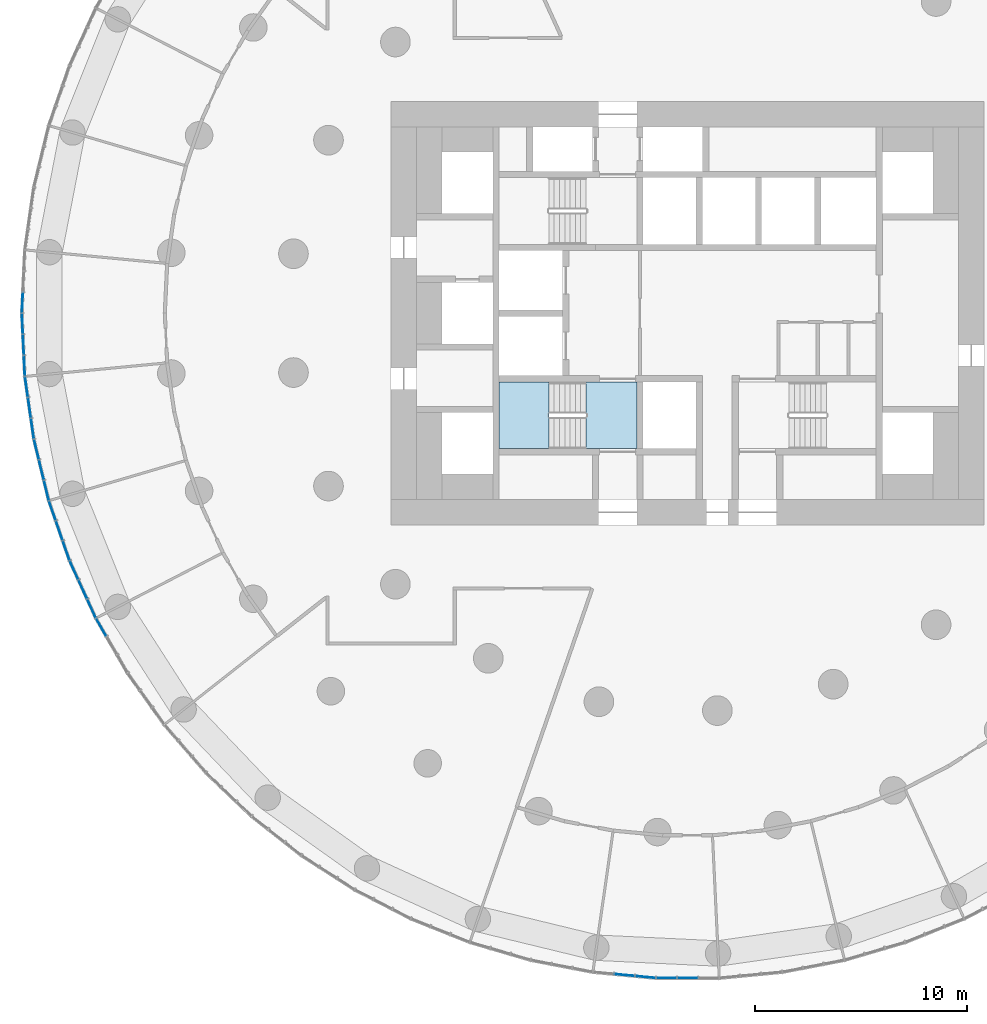
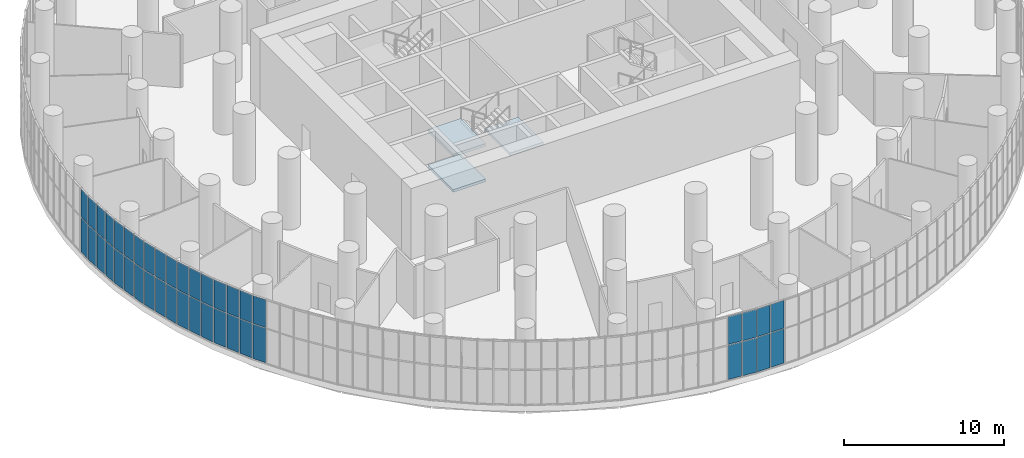
# One storey, part 13 of 27: 42 plates, 3 slabs, 10 elements without a shape of their own.
"""IFC4 building model written with IfcOpenShell, lengths in metres."""

from ifc_helpers import new_model, si_unit, direction, frame, origin, origin_2d, place, context, subcontext, project, spatial, polyline, rectangle, outline, extrude, material, layer, layer_set, type_object, element, aggregate, save


model = new_model("IFC4")

# Units and contexts
model_context = context("Model", 3, precision=1e-05, world=origin(), true_north=direction((0.0, 1.0)))
body_context = subcontext(model_context, "Body", "Model", "MODEL_VIEW")
ifc_project = project(units=[si_unit("LENGTHUNIT", "METRE"), si_unit("AREAUNIT", "SQUARE_METRE"), si_unit("VOLUMEUNIT", "CUBIC_METRE"), si_unit("PLANEANGLEUNIT", "RADIAN"), si_unit("MASSUNIT", "GRAM", prefix="KILO")], contexts=[model_context])

# Site, building, storey
site_placement = place(None, origin())
site = spatial("IfcSite", under=ifc_project, at=site_placement, CompositionType="ELEMENT")
building_placement = place(site_placement, origin())
building = spatial("IfcBuilding", under=site, at=building_placement, Name="Tracery Tower", CompositionType="ELEMENT")
storey_placement = place(building_placement, frame((0.0, 0.0, 114.60009765625)))
storey = spatial("IfcBuildingStorey", under=building, at=storey_placement, Name="L29", CompositionType="ELEMENT", Elevation=114.60009765625)

# Curtain wall, plates
ifc_material_1 = material(Name="Aluminium curtain wall with tinted glass", Category="aluminium")
ifc_layer_1 = layer(ifc_material_1, 0.179931640625)
ifc_layer_set_1 = layer_set([ifc_layer_1], Name="Sky lounge 1 tracery curtain wall")
curtain_wall_type = type_object("IfcCurtainWallType", Name="Sky lounge 1 tracery curtain wall", PredefinedType="NOTDEFINED", material=ifc_layer_set_1)
curtain_wall_1_placement = place(storey_placement, origin())
curtain_wall_1 = element("IfcCurtainWall", 1, at=curtain_wall_1_placement, inside=storey, type_object=curtain_wall_type, Name="Sky lounge 1 curtain wall run 33", PredefinedType="NOTDEFINED")
ifc_material_2 = material(Name="Tinted laminated glass", Category="glass")
ifc_layer_2 = layer(ifc_material_2, 0.031982421875)
ifc_layer_set_2 = layer_set([ifc_layer_2], Name="Sky lounge 1 glass panel 32")
plate_type = type_object("IfcPlateType", Name="Sky lounge 1 glass panel 32", PredefinedType="CURTAIN_PANEL", material=ifc_layer_set_2)
plate_1_placement = place(storey_placement, frame((-31.410888671875, 0.498046875, 0.06005859375), z_axis=(0.0, 0.0, 1.0), x_axis=(-0.047581915819, -0.998867339183, 0.0)))
plate_1 = element("IfcPlate", 2, at=plate_1_placement, type_object=plate_type, Name="Sky lounge 1 curtain wall run 33 glass panel 5", PredefinedType="CURTAIN_PANEL", context=body_context, shape_type="SweptSolid", body=[
    extrude(rectangle(XDim=0.937255859375, YDim=0.031982421875, at=origin_2d()), origin(), (0.0, 0.0, 1.0), 2.610107421875),
])
plate_2_placement = place(storey_placement, frame((-31.410888671875, 0.498046875, 2.72998046875), z_axis=(0.0, 0.0, 1.0), x_axis=(-0.047581915819, -0.998867339183, 0.0)))
plate_2 = element("IfcPlate", 3, at=plate_2_placement, type_object=plate_type, Name="Sky lounge 1 curtain wall run 33 glass panel 6", PredefinedType="CURTAIN_PANEL", context=body_context, shape_type="SweptSolid", body=[
    extrude(rectangle(XDim=0.937255859375, YDim=0.031982421875, at=origin_2d()), origin(), (0.0, 0.0, 1.0), 2.110107421875),
])
aggregate(curtain_wall_1, [plate_1, plate_2])

curtain_wall_2_placement = place(storey_placement, origin())
curtain_wall_2 = element("IfcCurtainWall", 4, at=curtain_wall_2_placement, inside=storey, type_object=curtain_wall_type, Name="Sky lounge 1 curtain wall run 34", PredefinedType="NOTDEFINED")
plate_3_placement = place(storey_placement, frame((-31.410888671875, -0.498046875, 0.06005859375), z_axis=(0.0, 0.0, 1.0), x_axis=(0.047581915819, -0.998867339183, 0.0)))
plate_3 = element("IfcPlate", 5, at=plate_3_placement, type_object=plate_type, Name="Sky lounge 1 curtain wall run 34 glass panel 1", PredefinedType="CURTAIN_PANEL", context=body_context, shape_type="SweptSolid", body=[
    extrude(rectangle(XDim=0.937255859375, YDim=0.031982421875, at=origin_2d()), origin(), (0.0, 0.0, 1.0), 2.610107421875),
])
plate_4_placement = place(storey_placement, frame((-31.410888671875, -0.498046875, 2.72998046875), z_axis=(0.0, 0.0, 1.0), x_axis=(0.047581915819, -0.998867339183, 0.0)))
plate_4 = element("IfcPlate", 6, at=plate_4_placement, type_object=plate_type, Name="Sky lounge 1 curtain wall run 34 glass panel 2", PredefinedType="CURTAIN_PANEL", context=body_context, shape_type="SweptSolid", body=[
    extrude(rectangle(XDim=0.937255859375, YDim=0.031982421875, at=origin_2d()), origin(), (0.0, 0.0, 1.0), 2.110107421875),
])
plate_5_placement = place(storey_placement, frame((-31.36328125, -1.494140625, 0.06005859375), z_axis=(0.0, 0.0, 1.0), x_axis=(0.047581915819, -0.998867339183, 0.0)))
plate_5 = element("IfcPlate", 7, at=plate_5_placement, type_object=plate_type, Name="Sky lounge 1 curtain wall run 34 glass panel 3", PredefinedType="CURTAIN_PANEL", context=body_context, shape_type="SweptSolid", body=[
    extrude(rectangle(XDim=0.937255859375, YDim=0.031982421875, at=origin_2d()), origin(), (0.0, 0.0, 1.0), 2.610107421875),
])
plate_6_placement = place(storey_placement, frame((-31.36328125, -1.494140625, 2.72998046875), z_axis=(0.0, 0.0, 1.0), x_axis=(0.047581915819, -0.998867339183, 0.0)))
plate_6 = element("IfcPlate", 8, at=plate_6_placement, type_object=plate_type, Name="Sky lounge 1 curtain wall run 34 glass panel 4", PredefinedType="CURTAIN_PANEL", context=body_context, shape_type="SweptSolid", body=[
    extrude(rectangle(XDim=0.937255859375, YDim=0.031982421875, at=origin_2d()), origin(), (0.0, 0.0, 1.0), 2.110107421875),
])
plate_7_placement = place(storey_placement, frame((-31.31591796875, -2.489990234375, 0.06005859375), z_axis=(0.0, 0.0, 1.0), x_axis=(0.047581915819, -0.998867339183, 0.0)))
plate_7 = element("IfcPlate", 9, at=plate_7_placement, type_object=plate_type, Name="Sky lounge 1 curtain wall run 34 glass panel 5", PredefinedType="CURTAIN_PANEL", context=body_context, shape_type="SweptSolid", body=[
    extrude(rectangle(XDim=0.937255859375, YDim=0.031982421875, at=origin_2d()), origin(), (0.0, 0.0, 1.0), 2.610107421875),
])
plate_8_placement = place(storey_placement, frame((-31.31591796875, -2.489990234375, 2.72998046875), z_axis=(0.0, 0.0, 1.0), x_axis=(0.047581915819, -0.998867339183, 0.0)))
plate_8 = element("IfcPlate", 10, at=plate_8_placement, type_object=plate_type, Name="Sky lounge 1 curtain wall run 34 glass panel 6", PredefinedType="CURTAIN_PANEL", context=body_context, shape_type="SweptSolid", body=[
    extrude(rectangle(XDim=0.937255859375, YDim=0.031982421875, at=origin_2d()), origin(), (0.0, 0.0, 1.0), 2.110107421875),
])
aggregate(curtain_wall_2, [plate_3, plate_4, plate_5, plate_6, plate_7, plate_8])

curtain_wall_3_placement = place(storey_placement, origin())
curtain_wall_3 = element("IfcCurtainWall", 11, at=curtain_wall_3_placement, inside=storey, type_object=curtain_wall_type, Name="Sky lounge 1 curtain wall run 35", PredefinedType="NOTDEFINED")
plate_9_placement = place(storey_placement, frame((-31.22119140625, -3.4814453125, 0.06005859375), z_axis=(0.0, 0.0, 1.0), x_axis=(0.142314838276, -0.98982144188, 0.0)))
plate_9 = element("IfcPlate", 12, at=plate_9_placement, type_object=plate_type, Name="Sky lounge 1 curtain wall run 35 glass panel 1", PredefinedType="CURTAIN_PANEL", context=body_context, shape_type="SweptSolid", body=[
    extrude(rectangle(XDim=0.937255859375, YDim=0.031982421875, at=origin_2d()), origin(), (0.0, 0.0, 1.0), 2.610107421875),
])
plate_10_placement = place(storey_placement, frame((-31.22119140625, -3.4814453125, 2.72998046875), z_axis=(0.0, 0.0, 1.0), x_axis=(0.142314838276, -0.98982144188, 0.0)))
plate_10 = element("IfcPlate", 13, at=plate_10_placement, type_object=plate_type, Name="Sky lounge 1 curtain wall run 35 glass panel 2", PredefinedType="CURTAIN_PANEL", context=body_context, shape_type="SweptSolid", body=[
    extrude(rectangle(XDim=0.937255859375, YDim=0.031982421875, at=origin_2d()), origin(), (0.0, 0.0, 1.0), 2.110107421875),
])
plate_11_placement = place(storey_placement, frame((-31.079345703125, -4.468505859375, 0.06005859375), z_axis=(0.0, 0.0, 1.0), x_axis=(0.142314838276, -0.98982144188, 0.0)))
plate_11 = element("IfcPlate", 14, at=plate_11_placement, type_object=plate_type, Name="Sky lounge 1 curtain wall run 35 glass panel 3", PredefinedType="CURTAIN_PANEL", context=body_context, shape_type="SweptSolid", body=[
    extrude(rectangle(XDim=0.937255859375, YDim=0.031982421875, at=origin_2d()), origin(), (0.0, 0.0, 1.0), 2.610107421875),
])
plate_12_placement = place(storey_placement, frame((-31.079345703125, -4.468505859375, 2.72998046875), z_axis=(0.0, 0.0, 1.0), x_axis=(0.142314838276, -0.98982144188, 0.0)))
plate_12 = element("IfcPlate", 15, at=plate_12_placement, type_object=plate_type, Name="Sky lounge 1 curtain wall run 35 glass panel 4", PredefinedType="CURTAIN_PANEL", context=body_context, shape_type="SweptSolid", body=[
    extrude(rectangle(XDim=0.937255859375, YDim=0.031982421875, at=origin_2d()), origin(), (0.0, 0.0, 1.0), 2.110107421875),
])
plate_13_placement = place(storey_placement, frame((-30.9375, -5.45556640625, 0.06005859375), z_axis=(0.0, 0.0, 1.0), x_axis=(0.142314838276, -0.98982144188, 0.0)))
plate_13 = element("IfcPlate", 16, at=plate_13_placement, type_object=plate_type, Name="Sky lounge 1 curtain wall run 35 glass panel 5", PredefinedType="CURTAIN_PANEL", context=body_context, shape_type="SweptSolid", body=[
    extrude(rectangle(XDim=0.937255859375, YDim=0.031982421875, at=origin_2d()), origin(), (0.0, 0.0, 1.0), 2.610107421875),
])
plate_14_placement = place(storey_placement, frame((-30.9375, -5.45556640625, 2.72998046875), z_axis=(0.0, 0.0, 1.0), x_axis=(0.142314838276, -0.98982144188, 0.0)))
plate_14 = element("IfcPlate", 17, at=plate_14_placement, type_object=plate_type, Name="Sky lounge 1 curtain wall run 35 glass panel 6", PredefinedType="CURTAIN_PANEL", context=body_context, shape_type="SweptSolid", body=[
    extrude(rectangle(XDim=0.937255859375, YDim=0.031982421875, at=origin_2d()), origin(), (0.0, 0.0, 1.0), 2.110107421875),
])
aggregate(curtain_wall_3, [plate_9, plate_10, plate_11, plate_12, plate_13, plate_14])

curtain_wall_4_placement = place(storey_placement, origin())
curtain_wall_4 = element("IfcCurtainWall", 18, at=curtain_wall_4_placement, inside=storey, type_object=curtain_wall_type, Name="Sky lounge 1 curtain wall run 36", PredefinedType="NOTDEFINED")
plate_15_placement = place(storey_placement, frame((-30.748779296875, -6.43359375, 0.06005859375), z_axis=(0.0, 0.0, 1.0), x_axis=(0.235758935503, -0.971811568325, 0.0)))
plate_15 = element("IfcPlate", 19, at=plate_15_placement, type_object=plate_type, Name="Sky lounge 1 curtain wall run 36 glass panel 1", PredefinedType="CURTAIN_PANEL", context=body_context, shape_type="SweptSolid", body=[
    extrude(rectangle(XDim=0.937255859375, YDim=0.031982421875, at=origin_2d()), origin(), (0.0, 0.0, 1.0), 2.610107421875),
])
plate_16_placement = place(storey_placement, frame((-30.748779296875, -6.43359375, 2.72998046875), z_axis=(0.0, 0.0, 1.0), x_axis=(0.235758935503, -0.971811568325, 0.0)))
plate_16 = element("IfcPlate", 20, at=plate_16_placement, type_object=plate_type, Name="Sky lounge 1 curtain wall run 36 glass panel 2", PredefinedType="CURTAIN_PANEL", context=body_context, shape_type="SweptSolid", body=[
    extrude(rectangle(XDim=0.937255859375, YDim=0.031982421875, at=origin_2d()), origin(), (0.0, 0.0, 1.0), 2.110107421875),
])
plate_17_placement = place(storey_placement, frame((-30.513916015625, -7.402587890625, 0.06005859375), z_axis=(0.0, 0.0, 1.0), x_axis=(0.235758935503, -0.971811568325, 0.0)))
plate_17 = element("IfcPlate", 21, at=plate_17_placement, type_object=plate_type, Name="Sky lounge 1 curtain wall run 36 glass panel 3", PredefinedType="CURTAIN_PANEL", context=body_context, shape_type="SweptSolid", body=[
    extrude(rectangle(XDim=0.937255859375, YDim=0.031982421875, at=origin_2d()), origin(), (0.0, 0.0, 1.0), 2.610107421875),
])
plate_18_placement = place(storey_placement, frame((-30.513916015625, -7.402587890625, 2.72998046875), z_axis=(0.0, 0.0, 1.0), x_axis=(0.235758935503, -0.971811568325, 0.0)))
plate_18 = element("IfcPlate", 22, at=plate_18_placement, type_object=plate_type, Name="Sky lounge 1 curtain wall run 36 glass panel 4", PredefinedType="CURTAIN_PANEL", context=body_context, shape_type="SweptSolid", body=[
    extrude(rectangle(XDim=0.937255859375, YDim=0.031982421875, at=origin_2d()), origin(), (0.0, 0.0, 1.0), 2.110107421875),
])
plate_19_placement = place(storey_placement, frame((-30.27880859375, -8.37158203125, 0.06005859375), z_axis=(0.0, 0.0, 1.0), x_axis=(0.235758935503, -0.971811568325, 0.0)))
plate_19 = element("IfcPlate", 23, at=plate_19_placement, type_object=plate_type, Name="Sky lounge 1 curtain wall run 36 glass panel 5", PredefinedType="CURTAIN_PANEL", context=body_context, shape_type="SweptSolid", body=[
    extrude(rectangle(XDim=0.937255859375, YDim=0.031982421875, at=origin_2d()), origin(), (0.0, 0.0, 1.0), 2.610107421875),
])
plate_20_placement = place(storey_placement, frame((-30.27880859375, -8.37158203125, 2.72998046875), z_axis=(0.0, 0.0, 1.0), x_axis=(0.235758935503, -0.971811568325, 0.0)))
plate_20 = element("IfcPlate", 24, at=plate_20_placement, type_object=plate_type, Name="Sky lounge 1 curtain wall run 36 glass panel 6", PredefinedType="CURTAIN_PANEL", context=body_context, shape_type="SweptSolid", body=[
    extrude(rectangle(XDim=0.937255859375, YDim=0.031982421875, at=origin_2d()), origin(), (0.0, 0.0, 1.0), 2.110107421875),
])
aggregate(curtain_wall_4, [plate_15, plate_16, plate_17, plate_18, plate_19, plate_20])

curtain_wall_5_placement = place(storey_placement, origin())
curtain_wall_5 = element("IfcCurtainWall", 25, at=curtain_wall_5_placement, inside=storey, type_object=curtain_wall_type, Name="Sky lounge 1 curtain wall run 37", PredefinedType="NOTDEFINED")
plate_21_placement = place(storey_placement, frame((-29.998046875, -9.327392578125, 0.06005859375), z_axis=(0.0, 0.0, 1.0), x_axis=(0.327067963319, -0.945000818714, 0.0)))
plate_21 = element("IfcPlate", 26, at=plate_21_placement, type_object=plate_type, Name="Sky lounge 1 curtain wall run 37 glass panel 1", PredefinedType="CURTAIN_PANEL", context=body_context, shape_type="SweptSolid", body=[
    extrude(rectangle(XDim=0.937255859375, YDim=0.031982421875, at=origin_2d()), origin(), (0.0, 0.0, 1.0), 2.610107421875),
])
plate_22_placement = place(storey_placement, frame((-29.998046875, -9.327392578125, 2.72998046875), z_axis=(0.0, 0.0, 1.0), x_axis=(0.327067963319, -0.945000818714, 0.0)))
plate_22 = element("IfcPlate", 27, at=plate_22_placement, type_object=plate_type, Name="Sky lounge 1 curtain wall run 37 glass panel 2", PredefinedType="CURTAIN_PANEL", context=body_context, shape_type="SweptSolid", body=[
    extrude(rectangle(XDim=0.937255859375, YDim=0.031982421875, at=origin_2d()), origin(), (0.0, 0.0, 1.0), 2.110107421875),
])
plate_23_placement = place(storey_placement, frame((-29.671875, -10.26953125, 0.06005859375), z_axis=(0.0, 0.0, 1.0), x_axis=(0.327067963319, -0.945000818714, 0.0)))
plate_23 = element("IfcPlate", 28, at=plate_23_placement, type_object=plate_type, Name="Sky lounge 1 curtain wall run 37 glass panel 3", PredefinedType="CURTAIN_PANEL", context=body_context, shape_type="SweptSolid", body=[
    extrude(rectangle(XDim=0.937255859375, YDim=0.031982421875, at=origin_2d()), origin(), (0.0, 0.0, 1.0), 2.610107421875),
])
plate_24_placement = place(storey_placement, frame((-29.671875, -10.26953125, 2.72998046875), z_axis=(0.0, 0.0, 1.0), x_axis=(0.327067963319, -0.945000818714, 0.0)))
plate_24 = element("IfcPlate", 29, at=plate_24_placement, type_object=plate_type, Name="Sky lounge 1 curtain wall run 37 glass panel 4", PredefinedType="CURTAIN_PANEL", context=body_context, shape_type="SweptSolid", body=[
    extrude(rectangle(XDim=0.937255859375, YDim=0.031982421875, at=origin_2d()), origin(), (0.0, 0.0, 1.0), 2.110107421875),
])
plate_25_placement = place(storey_placement, frame((-29.345947265625, -11.2119140625, 0.06005859375), z_axis=(0.0, 0.0, 1.0), x_axis=(0.327067963319, -0.945000818714, 0.0)))
plate_25 = element("IfcPlate", 30, at=plate_25_placement, type_object=plate_type, Name="Sky lounge 1 curtain wall run 37 glass panel 5", PredefinedType="CURTAIN_PANEL", context=body_context, shape_type="SweptSolid", body=[
    extrude(rectangle(XDim=0.937255859375, YDim=0.031982421875, at=origin_2d()), origin(), (0.0, 0.0, 1.0), 2.610107421875),
])
plate_26_placement = place(storey_placement, frame((-29.345947265625, -11.2119140625, 2.72998046875), z_axis=(0.0, 0.0, 1.0), x_axis=(0.327067963319, -0.945000818714, 0.0)))
plate_26 = element("IfcPlate", 31, at=plate_26_placement, type_object=plate_type, Name="Sky lounge 1 curtain wall run 37 glass panel 6", PredefinedType="CURTAIN_PANEL", context=body_context, shape_type="SweptSolid", body=[
    extrude(rectangle(XDim=0.937255859375, YDim=0.031982421875, at=origin_2d()), origin(), (0.0, 0.0, 1.0), 2.110107421875),
])
aggregate(curtain_wall_5, [plate_21, plate_22, plate_23, plate_24, plate_25, plate_26])

curtain_wall_6_placement = place(storey_placement, origin())
curtain_wall_6 = element("IfcCurtainWall", 32, at=curtain_wall_6_placement, inside=storey, type_object=curtain_wall_type, Name="Sky lounge 1 curtain wall run 38", PredefinedType="NOTDEFINED")
plate_27_placement = place(storey_placement, frame((-28.9755859375, -12.136474609375, 0.06005859375), z_axis=(0.0, 0.0, 1.0), x_axis=(0.415415012995, -0.909631995358, 0.0)))
plate_27 = element("IfcPlate", 33, at=plate_27_placement, type_object=plate_type, Name="Sky lounge 1 curtain wall run 38 glass panel 1", PredefinedType="CURTAIN_PANEL", context=body_context, shape_type="SweptSolid", body=[
    extrude(rectangle(XDim=0.937255859375, YDim=0.031982421875, at=origin_2d()), origin(), (0.0, 0.0, 1.0), 2.610107421875),
])
plate_28_placement = place(storey_placement, frame((-28.9755859375, -12.136474609375, 2.72998046875), z_axis=(0.0, 0.0, 1.0), x_axis=(0.415415012995, -0.909631995358, 0.0)))
plate_28 = element("IfcPlate", 34, at=plate_28_placement, type_object=plate_type, Name="Sky lounge 1 curtain wall run 38 glass panel 2", PredefinedType="CURTAIN_PANEL", context=body_context, shape_type="SweptSolid", body=[
    extrude(rectangle(XDim=0.937255859375, YDim=0.031982421875, at=origin_2d()), origin(), (0.0, 0.0, 1.0), 2.110107421875),
])
plate_29_placement = place(storey_placement, frame((-28.5615234375, -13.04345703125, 0.06005859375), z_axis=(0.0, 0.0, 1.0), x_axis=(0.415415012995, -0.909631995358, 0.0)))
plate_29 = element("IfcPlate", 35, at=plate_29_placement, type_object=plate_type, Name="Sky lounge 1 curtain wall run 38 glass panel 3", PredefinedType="CURTAIN_PANEL", context=body_context, shape_type="SweptSolid", body=[
    extrude(rectangle(XDim=0.937255859375, YDim=0.031982421875, at=origin_2d()), origin(), (0.0, 0.0, 1.0), 2.610107421875),
])
plate_30_placement = place(storey_placement, frame((-28.5615234375, -13.04345703125, 2.72998046875), z_axis=(0.0, 0.0, 1.0), x_axis=(0.415415012995, -0.909631995358, 0.0)))
plate_30 = element("IfcPlate", 36, at=plate_30_placement, type_object=plate_type, Name="Sky lounge 1 curtain wall run 38 glass panel 4", PredefinedType="CURTAIN_PANEL", context=body_context, shape_type="SweptSolid", body=[
    extrude(rectangle(XDim=0.937255859375, YDim=0.031982421875, at=origin_2d()), origin(), (0.0, 0.0, 1.0), 2.110107421875),
])
plate_31_placement = place(storey_placement, frame((-28.147216796875, -13.95068359375, 0.06005859375), z_axis=(0.0, 0.0, 1.0), x_axis=(0.415415012995, -0.909631995358, 0.0)))
plate_31 = element("IfcPlate", 37, at=plate_31_placement, type_object=plate_type, Name="Sky lounge 1 curtain wall run 38 glass panel 5", PredefinedType="CURTAIN_PANEL", context=body_context, shape_type="SweptSolid", body=[
    extrude(rectangle(XDim=0.937255859375, YDim=0.031982421875, at=origin_2d()), origin(), (0.0, 0.0, 1.0), 2.610107421875),
])
plate_32_placement = place(storey_placement, frame((-28.147216796875, -13.95068359375, 2.72998046875), z_axis=(0.0, 0.0, 1.0), x_axis=(0.415415012995, -0.909631995358, 0.0)))
plate_32 = element("IfcPlate", 38, at=plate_32_placement, type_object=plate_type, Name="Sky lounge 1 curtain wall run 38 glass panel 6", PredefinedType="CURTAIN_PANEL", context=body_context, shape_type="SweptSolid", body=[
    extrude(rectangle(XDim=0.937255859375, YDim=0.031982421875, at=origin_2d()), origin(), (0.0, 0.0, 1.0), 2.110107421875),
])
aggregate(curtain_wall_6, [plate_27, plate_28, plate_29, plate_30, plate_31, plate_32])

curtain_wall_7_placement = place(storey_placement, origin())
curtain_wall_7 = element("IfcCurtainWall", 39, at=curtain_wall_7_placement, inside=storey, type_object=curtain_wall_type, Name="Sky lounge 1 curtain wall run 39", PredefinedType="NOTDEFINED")
plate_33_placement = place(storey_placement, frame((-27.69091796875, -14.8359375, 0.06005859375), z_axis=(0.0, 0.0, 1.0), x_axis=(0.5, -0.866025403784, 0.0)))
plate_33 = element("IfcPlate", 40, at=plate_33_placement, type_object=plate_type, Name="Sky lounge 1 curtain wall run 39 glass panel 1", PredefinedType="CURTAIN_PANEL", context=body_context, shape_type="SweptSolid", body=[
    extrude(rectangle(XDim=0.937255859375, YDim=0.031982421875, at=origin_2d()), origin(), (0.0, 0.0, 1.0), 2.610107421875),
])
plate_34_placement = place(storey_placement, frame((-27.69091796875, -14.8359375, 2.72998046875), z_axis=(0.0, 0.0, 1.0), x_axis=(0.5, -0.866025403784, 0.0)))
plate_34 = element("IfcPlate", 41, at=plate_34_placement, type_object=plate_type, Name="Sky lounge 1 curtain wall run 39 glass panel 2", PredefinedType="CURTAIN_PANEL", context=body_context, shape_type="SweptSolid", body=[
    extrude(rectangle(XDim=0.937255859375, YDim=0.031982421875, at=origin_2d()), origin(), (0.0, 0.0, 1.0), 2.110107421875),
])
aggregate(curtain_wall_7, [plate_33, plate_34])

curtain_wall_8_placement = place(storey_placement, origin())
curtain_wall_8 = element("IfcCurtainWall", 42, at=curtain_wall_8_placement, inside=storey, type_object=curtain_wall_type, Name="Sky lounge 1 curtain wall run 49", PredefinedType="NOTDEFINED")
plate_35_placement = place(storey_placement, frame((-2.984619140625, -31.2568359375, 0.06005859375), z_axis=(0.0, 0.0, 1.0), x_axis=(0.995471922572, -0.095056043312, 0.0)))
plate_35 = element("IfcPlate", 43, at=plate_35_placement, type_object=plate_type, Name="Sky lounge 1 curtain wall run 49 glass panel 3", PredefinedType="CURTAIN_PANEL", context=body_context, shape_type="SweptSolid", body=[
    extrude(rectangle(XDim=0.937255859375, YDim=0.031982421875, at=origin_2d()), origin(), (0.0, 0.0, 1.0), 2.610107421875),
])
plate_36_placement = place(storey_placement, frame((-2.984619140625, -31.2568359375, 2.72998046875), z_axis=(0.0, 0.0, 1.0), x_axis=(0.995471922572, -0.095056043312, 0.0)))
plate_36 = element("IfcPlate", 44, at=plate_36_placement, type_object=plate_type, Name="Sky lounge 1 curtain wall run 49 glass panel 4", PredefinedType="CURTAIN_PANEL", context=body_context, shape_type="SweptSolid", body=[
    extrude(rectangle(XDim=0.937255859375, YDim=0.031982421875, at=origin_2d()), origin(), (0.0, 0.0, 1.0), 2.110107421875),
])
plate_37_placement = place(storey_placement, frame((-1.991943359375, -31.3515625, 0.06005859375), z_axis=(0.0, 0.0, 1.0), x_axis=(0.995471922572, -0.095056043312, 0.0)))
plate_37 = element("IfcPlate", 45, at=plate_37_placement, type_object=plate_type, Name="Sky lounge 1 curtain wall run 49 glass panel 5", PredefinedType="CURTAIN_PANEL", context=body_context, shape_type="SweptSolid", body=[
    extrude(rectangle(XDim=0.937255859375, YDim=0.031982421875, at=origin_2d()), origin(), (0.0, 0.0, 1.0), 2.610107421875),
])
plate_38_placement = place(storey_placement, frame((-1.991943359375, -31.3515625, 2.72998046875), z_axis=(0.0, 0.0, 1.0), x_axis=(0.995471922572, -0.095056043312, 0.0)))
plate_38 = element("IfcPlate", 46, at=plate_38_placement, type_object=plate_type, Name="Sky lounge 1 curtain wall run 49 glass panel 6", PredefinedType="CURTAIN_PANEL", context=body_context, shape_type="SweptSolid", body=[
    extrude(rectangle(XDim=0.937255859375, YDim=0.031982421875, at=origin_2d()), origin(), (0.0, 0.0, 1.0), 2.110107421875),
])
aggregate(curtain_wall_8, [plate_35, plate_36, plate_37, plate_38])

curtain_wall_9_placement = place(storey_placement, origin())
curtain_wall_9 = element("IfcCurtainWall", 47, at=curtain_wall_9_placement, inside=storey, type_object=curtain_wall_type, Name="Sky lounge 1 curtain wall run 50", PredefinedType="NOTDEFINED")
plate_39_placement = place(storey_placement, frame((-0.9970703125, -31.39892578125, 0.06005859375), z_axis=(0.0, 0.0, 1.0), x_axis=(1.0, 0.0, 0.0)))
plate_39 = element("IfcPlate", 48, at=plate_39_placement, type_object=plate_type, Name="Sky lounge 1 curtain wall run 50 glass panel 1", PredefinedType="CURTAIN_PANEL", context=body_context, shape_type="SweptSolid", body=[
    extrude(rectangle(XDim=0.937255859375, YDim=0.031982421875, at=origin_2d()), origin(), (0.0, 0.0, 1.0), 2.610107421875),
])
plate_40_placement = place(storey_placement, frame((-0.9970703125, -31.39892578125, 2.72998046875), z_axis=(0.0, 0.0, 1.0), x_axis=(1.0, 0.0, 0.0)))
plate_40 = element("IfcPlate", 49, at=plate_40_placement, type_object=plate_type, Name="Sky lounge 1 curtain wall run 50 glass panel 2", PredefinedType="CURTAIN_PANEL", context=body_context, shape_type="SweptSolid", body=[
    extrude(rectangle(XDim=0.937255859375, YDim=0.031982421875, at=origin_2d()), origin(), (0.0, 0.0, 1.0), 2.110107421875),
])
plate_41_placement = place(storey_placement, frame((0.0, -31.39892578125, 0.06005859375), z_axis=(0.0, 0.0, 1.0), x_axis=(1.0, 0.0, 0.0)))
plate_41 = element("IfcPlate", 50, at=plate_41_placement, type_object=plate_type, Name="Sky lounge 1 curtain wall run 50 glass panel 3", PredefinedType="CURTAIN_PANEL", context=body_context, shape_type="SweptSolid", body=[
    extrude(rectangle(XDim=0.937255859375, YDim=0.031982421875, at=origin_2d()), origin(), (0.0, 0.0, 1.0), 2.610107421875),
])
plate_42_placement = place(storey_placement, frame((0.0, -31.39892578125, 2.72998046875), z_axis=(0.0, 0.0, 1.0), x_axis=(1.0, 0.0, 0.0)))
plate_42 = element("IfcPlate", 51, at=plate_42_placement, type_object=plate_type, Name="Sky lounge 1 curtain wall run 50 glass panel 4", PredefinedType="CURTAIN_PANEL", context=body_context, shape_type="SweptSolid", body=[
    extrude(rectangle(XDim=0.937255859375, YDim=0.031982421875, at=origin_2d()), origin(), (0.0, 0.0, 1.0), 2.110107421875),
])
aggregate(curtain_wall_9, [plate_39, plate_40, plate_41, plate_42])

# Stair, slabs
ifc_material_3 = material(Name="Concrete C32/40", Category="concrete")
stair_type = type_object("IfcStairType", Name="Core stair 32 risers", PredefinedType="HALF_TURN_STAIR", material=ifc_material_3)
stair_placement = place(storey_placement, origin())
stair = element("IfcStair", 52, at=stair_placement, inside=storey, type_object=stair_type, Name="L29 stair ST1", PredefinedType="HALF_TURN_STAIR")
ifc_material_4 = material(Name="Concrete C32/40", Category="concrete")
ifc_layer_3 = layer(ifc_material_4, 0.199951171875)
ifc_layer_set_3 = layer_set([ifc_layer_3], Name="Stair landing slab 200")
slab_type = type_object("IfcSlabType", Name="Stair landing slab 200", PredefinedType="LANDING", material=ifc_layer_set_3)
slab_1_placement = place(storey_placement, frame((0.0, 0.0, 1.14990234375)))
slab_1 = element("IfcSlab", 53, at=slab_1_placement, type_object=slab_type, Name="ST1 landing 1", PredefinedType="LANDING", context=body_context, shape_type="SweptSolid", body=[
    extrude(outline(polyline([(-6.54931640625, -3.25), (-8.89990234375, -3.25), (-8.89990234375, -6.39990234375), (-6.54931640625, -6.39990234375), (-6.54931640625, -3.25)])), origin(), (0.0, 0.0, 1.0), 0.199951171875),
])
slab_2_placement = place(storey_placement, frame((0.0, 0.0, 2.5)))
slab_2 = element("IfcSlab", 54, at=slab_2_placement, type_object=slab_type, Name="ST1 landing 2", PredefinedType="LANDING", context=body_context, shape_type="SweptSolid", body=[
    extrude(outline(polyline([(-2.39990234375, -3.25), (-4.800537109375, -3.25), (-4.800537109375, -6.39990234375), (-2.39990234375, -6.39990234375), (-2.39990234375, -3.25)])), origin(), (0.0, 0.0, 1.0), 0.199951171875),
])
slab_3_placement = place(storey_placement, frame((0.0, 0.0, 3.849853515625)))
slab_3 = element("IfcSlab", 55, at=slab_3_placement, type_object=slab_type, Name="ST1 landing 3", PredefinedType="LANDING", context=body_context, shape_type="SweptSolid", body=[
    extrude(outline(polyline([(-6.54931640625, -3.25), (-8.89990234375, -3.25), (-8.89990234375, -6.39990234375), (-6.54931640625, -6.39990234375), (-6.54931640625, -3.25)])), origin(), (0.0, 0.0, 1.0), 0.199951171875),
])
aggregate(stair, [slab_1, slab_2, slab_3])

save(model, "model.ifc")
